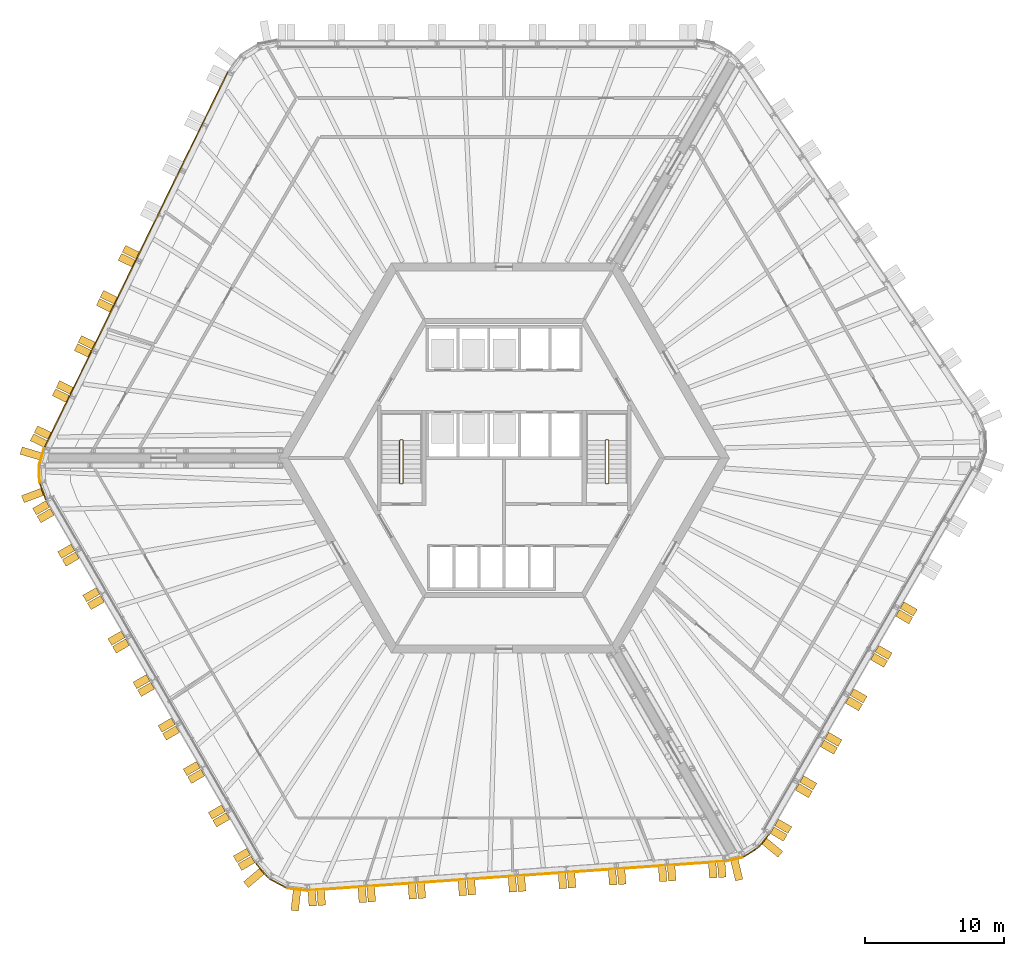
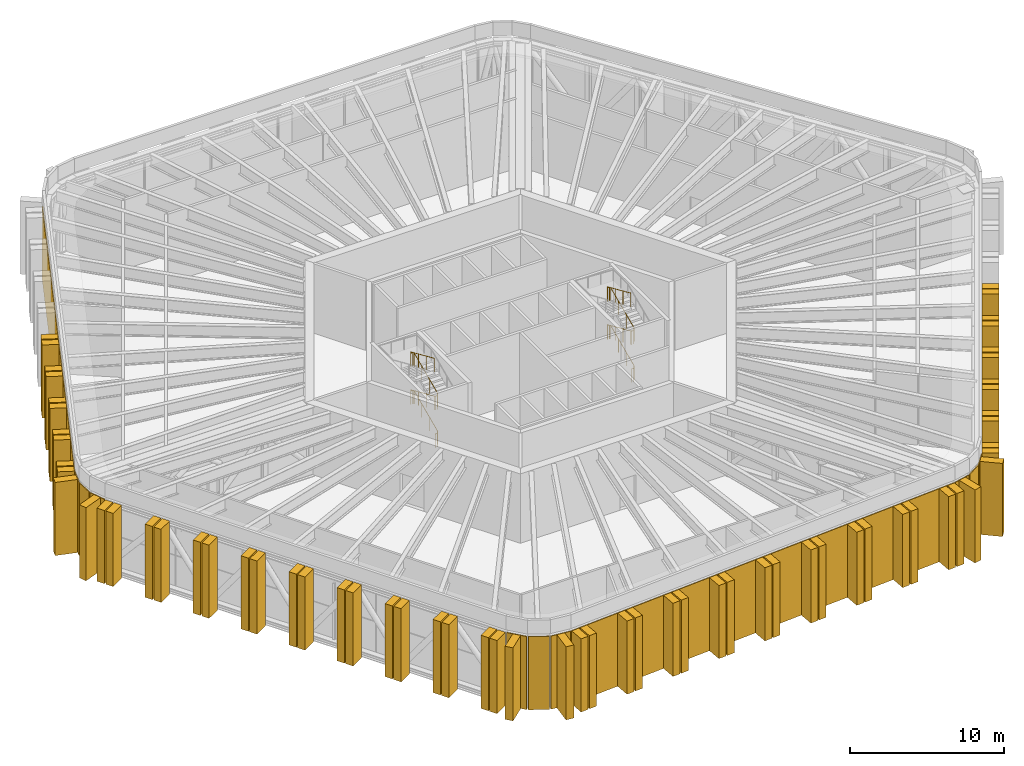
# One storey, part 25 of 27: 75 shading devices, 2 railings.
"""IFC4 building model written with IfcOpenShell, lengths in metres."""

from ifc_helpers import new_model, si_unit, direction, frame, origin, origin_2d, place, context, subcontext, project, spatial, polyline, circle, outline, extrude, material, layer, layer_set, type_object, element, save


model = new_model("IFC4")

# Units and contexts
model_context = context("Model", 3, precision=1e-05, world=origin(), true_north=direction((0.0, 1.0)))
body_context = subcontext(model_context, "Body", "Model", "MODEL_VIEW")
ifc_project = project(units=[si_unit("LENGTHUNIT", "METRE"), si_unit("AREAUNIT", "SQUARE_METRE"), si_unit("VOLUMEUNIT", "CUBIC_METRE"), si_unit("PLANEANGLEUNIT", "RADIAN"), si_unit("MASSUNIT", "GRAM", prefix="KILO")], contexts=[model_context])

# Site, building, storey
site_placement = place(None, origin())
site = spatial("IfcSite", under=ifc_project, at=site_placement, CompositionType="ELEMENT")
building_placement = place(site_placement, origin())
building = spatial("IfcBuilding", under=site, at=building_placement, Name="Tarnside Tower", CompositionType="ELEMENT")
storey_placement = place(building_placement, frame((0.0, 0.0, 146.699951171875)))
storey = spatial("IfcBuildingStorey", under=building, at=storey_placement, Name="L34", CompositionType="ELEMENT", Elevation=146.699951171875)

# Shading devices
ifc_material_1 = material(Name="Aluminium alloy 6063 louvre", Category="aluminium")
shading_device_type_1 = type_object("IfcShadingDeviceType", Name="Louvre panel 69", PredefinedType="USERDEFINED", material=ifc_material_1)
shading_device_1_placement = place(storey_placement, frame((-26.37109375, 14.20947265625, -0.300048828125), z_axis=(0.438372723418, 0.898793277324, 0.0), x_axis=(-0.898793277324, 0.438372723418, 0.0)))
element("IfcShadingDevice", 1, at=shading_device_1_placement, inside=storey, type_object=shading_device_type_1, Name="Louvre L34 005", ObjectType="LOUVRE", PredefinedType="USERDEFINED", context=body_context, shape_type="SweptSolid", body=[
    extrude(outline(polyline([(0.0, 0.0), (0.06884765625, 0.0), (0.06884765625, 5.800048828125), (0.0, 5.800048828125), (0.0, 0.0)])), frame((0.0, 0.0, -15.03564453125)), (0.0, 0.0, 1.0), 30.071044921875),
])
for number, where, z_axis, x_axis, name in (
    (2, (-33.147705078125, 0.085693359375, -0.300048828125), (0.286778355545, 0.957996959698, 0.0), (-0.957996959698, 0.286778355545, 0.0), "Louvre L34 006"),
    (3, (-33.308349609375, -1.1630859375, -0.300048828125), (-0.034926917162, 0.999389869099, 0.0), (-0.999389869099, -0.034926917162, 0.0), "Louvre L34 007"),
    (4, (-33.060791015625, -2.397705078125, -0.300048828125), (-0.352909617504, 0.935657416939, 0.0), (-0.935657416939, -0.352909617504, 0.0), "Louvre L34 008"),
):
    element("IfcShadingDevice", number, at=place(storey_placement, frame(where, z_axis=z_axis, x_axis=x_axis)), inside=storey, type_object=shading_device_type_1, Name=name, ObjectType="LOUVRE", PredefinedType="USERDEFINED", context=body_context, shape_type="SweptSolid", body=[
        extrude(outline(polyline([(0.0, 0.0), (0.06884765625, 0.0), (0.06884765625, 5.800048828125), (0.0, 5.800048828125), (0.0, 0.0)])), frame((0.0, 0.0, -0.60400390625)), (0.0, 0.0, 1.0), 1.208251953125),
    ])
for number, where, z_axis, x_axis, name in (
    (5, (-17.326416015625, -29.58984375, -0.300048828125), (-0.651674836993, 0.75849845539, 0.0), (-0.75849845539, -0.651674836993, 0.0), "Louvre L34 010"),
    (6, (-16.208740234375, -30.484130859375, -0.300048828125), (-0.882950419598, 0.469466246425, 0.0), (-0.469466246425, -0.882950419598, 0.0), "Louvre L34 011"),
    (7, (-14.84228515625, -30.91064453125, -0.300048828125), (-0.993236959607, 0.116104875309, 0.0), (-0.116104875309, -0.993236959607, 0.0), "Louvre L34 012"),
):
    element("IfcShadingDevice", number, at=place(storey_placement, frame(where, z_axis=z_axis, x_axis=x_axis)), inside=storey, type_object=shading_device_type_1, Name=name, ObjectType="LOUVRE", PredefinedType="USERDEFINED", context=body_context, shape_type="SweptSolid", body=[
        extrude(outline(polyline([(0.0, 0.0), (0.06884765625, 0.0), (0.06884765625, 5.800048828125), (0.0, 5.800048828125), (0.0, 0.0)])), frame((0.0, 0.0, -0.689453125)), (0.0, 0.0, 1.0), 1.37890625),
    ])
shading_device_2_placement = place(storey_placement, frame((0.8798828125, -29.942626953125, -0.300048828125), z_axis=(-0.997563935757, -0.069758111193, 0.0), x_axis=(0.069758111193, -0.997563935757, 0.0)))
element("IfcShadingDevice", 8, at=shading_device_2_placement, inside=storey, type_object=shading_device_type_1, Name="Louvre L34 013", ObjectType="LOUVRE", PredefinedType="USERDEFINED", context=body_context, shape_type="SweptSolid", body=[
    extrude(outline(polyline([(0.0, 0.0), (0.06884765625, 0.0), (0.06884765625, 5.800048828125), (0.0, 5.800048828125), (0.0, 0.0)])), frame((0.0, 0.0, -15.03564453125)), (0.0, 0.0, 1.0), 30.071044921875),
])
for number, where, z_axis, x_axis, name in (
    (9, (16.49951171875, -28.74951171875, -0.300048828125), (-0.973049015746, -0.230598380212, 0.0), (0.230598380212, -0.973049015746, 0.0), "Louvre L34 014"),
    (10, (17.661376953125, -28.26416015625, -0.300048828125), (-0.848049444347, -0.529917106671, 0.0), (0.529917106671, -0.848049444347, 0.0), "Louvre L34 015"),
    (11, (18.60693359375, -27.4326171875, -0.300048828125), (-0.633837053424, -0.773466605424, 0.0), (0.773466605424, -0.633837053424, 0.0), "Louvre L34 016"),
):
    element("IfcShadingDevice", number, at=place(storey_placement, frame(where, z_axis=z_axis, x_axis=x_axis)), inside=storey, type_object=shading_device_type_1, Name=name, ObjectType="LOUVRE", PredefinedType="USERDEFINED", context=body_context, shape_type="SweptSolid", body=[
        extrude(outline(polyline([(0.0, 0.0), (0.06884765625, 0.0), (0.06884765625, 5.800048828125), (0.0, 5.800048828125), (0.0, 0.0)])), frame((0.0, 0.0, -0.60400390625)), (0.0, 0.0, 1.0), 1.208251953125),
    ])
ifc_material_2 = material(Name="Concrete C50/60 white precast", Category="concrete")
ifc_layer_1 = layer(ifc_material_2, 0.550048828125)
ifc_layer_set_1 = layer_set([ifc_layer_1], Name="Precast fin 550 x 1100")
shading_device_type_2 = type_object("IfcShadingDeviceType", Name="Precast fin 550 x 1100", PredefinedType="USERDEFINED", material=ifc_layer_set_1)
for number, where, z_axis, x_axis, name in (
    (12, (-26.29052734375, 14.53173828125, -0.300048828125), (0.438371146789, 0.898794046299, 0.0), (-0.898794046299, 0.438371146789, 0.0), "Precast fin"),
    (13, (-26.575439453125, 13.947509765625, -0.300048828125), (0.438371146789, 0.898794046299, 0.0), (-0.898794046299, 0.438371146789, 0.0), "Precast fin"),
    (14, (-27.86865234375, 11.296142578125, -0.300048828125), (0.438371146789, 0.898794046299, 0.0), (-0.898794046299, 0.438371146789, 0.0), "Precast fin"),
    (15, (-28.153564453125, 10.7119140625, -0.300048828125), (0.438371146789, 0.898794046299, 0.0), (-0.898794046299, 0.438371146789, 0.0), "Precast fin"),
    (16, (-29.44677734375, 8.060546875, -0.300048828125), (0.438371146789, 0.898794046299, 0.0), (-0.898794046299, 0.438371146789, 0.0), "Precast fin"),
    (17, (-29.731689453125, 7.476318359375, -0.300048828125), (0.438371146789, 0.898794046299, 0.0), (-0.898794046299, 0.438371146789, 0.0), "Precast fin"),
    (18, (-31.02490234375, 4.82470703125, -0.300048828125), (0.438371146789, 0.898794046299, 0.0), (-0.898794046299, 0.438371146789, 0.0), "Precast fin"),
    (19, (-31.309814453125, 4.240478515625, -0.300048828125), (0.438371146789, 0.898794046299, 0.0), (-0.898794046299, 0.438371146789, 0.0), "Precast fin"),
    (20, (-32.60302734375, 1.589111328125, -0.300048828125), (0.438371146789, 0.898794046299, 0.0), (-0.898794046299, 0.438371146789, 0.0), "Precast fin"),
    (21, (-32.887939453125, 1.0048828125, -0.300048828125), (0.438371146789, 0.898794046299, 0.0), (-0.898794046299, 0.438371146789, 0.0), "Precast fin"),
    (22, (-32.73779296875, -3.296630859375, -0.300048828125), (-0.5, 0.866025403784, 0.0), (-0.866025403784, -0.5, 0.0), "Precast fin"),
    (23, (-32.412841796875, -3.859375, -0.300048828125), (-0.5, 0.866025403784, 0.0), (-0.866025403784, -0.5, 0.0), "Precast fin"),
    (24, (-30.937744140625, -6.414306640625, -0.300048828125), (-0.5, 0.866025403784, 0.0), (-0.866025403784, -0.5, 0.0), "Precast fin"),
    (25, (-30.61279296875, -6.977294921875, -0.300048828125), (-0.5, 0.866025403784, 0.0), (-0.866025403784, -0.5, 0.0), "Precast fin"),
    (26, (-29.1376953125, -9.531982421875, -0.300048828125), (-0.5, 0.866025403784, 0.0), (-0.866025403784, -0.5, 0.0), "Precast fin"),
    (27, (-28.812744140625, -10.094970703125, -0.300048828125), (-0.5, 0.866025403784, 0.0), (-0.866025403784, -0.5, 0.0), "Precast fin"),
    (28, (-27.337646484375, -12.649658203125, -0.300048828125), (-0.5, 0.866025403784, 0.0), (-0.866025403784, -0.5, 0.0), "Precast fin"),
    (29, (-27.0126953125, -13.212646484375, -0.300048828125), (-0.5, 0.866025403784, 0.0), (-0.866025403784, -0.5, 0.0), "Precast fin"),
    (30, (-25.537841796875, -15.767333984375, -0.300048828125), (-0.5, 0.866025403784, 0.0), (-0.866025403784, -0.5, 0.0), "Precast fin"),
    (31, (-25.212646484375, -16.330322265625, -0.300048828125), (-0.5, 0.866025403784, 0.0), (-0.866025403784, -0.5, 0.0), "Precast fin"),
    (32, (-23.73779296875, -18.885009765625, -0.300048828125), (-0.5, 0.866025403784, 0.0), (-0.866025403784, -0.5, 0.0), "Precast fin"),
    (33, (-23.412841796875, -19.447998046875, -0.300048828125), (-0.5, 0.866025403784, 0.0), (-0.866025403784, -0.5, 0.0), "Precast fin"),
    (34, (-21.937744140625, -22.002685546875, -0.300048828125), (-0.5, 0.866025403784, 0.0), (-0.866025403784, -0.5, 0.0), "Precast fin"),
    (35, (-21.61279296875, -22.565673828125, -0.300048828125), (-0.5, 0.866025403784, 0.0), (-0.866025403784, -0.5, 0.0), "Precast fin"),
    (36, (-20.1376953125, -25.120361328125, -0.300048828125), (-0.5, 0.866025403784, 0.0), (-0.866025403784, -0.5, 0.0), "Precast fin"),
    (37, (-19.812744140625, -25.683349609375, -0.300048828125), (-0.5, 0.866025403784, 0.0), (-0.866025403784, -0.5, 0.0), "Precast fin"),
    (38, (-18.337646484375, -28.238037109375, -0.300048828125), (-0.5, 0.866025403784, 0.0), (-0.866025403784, -0.5, 0.0), "Precast fin"),
    (39, (-18.0126953125, -28.801025390625, -0.300048828125), (-0.5, 0.866025403784, 0.0), (-0.866025403784, -0.5, 0.0), "Precast fin"),
    (40, (-13.8046875, -31.03857421875, -0.300048828125), (-0.99756405026, -0.069756473744, 0.0), (0.069756473744, -0.99756405026, 0.0), "Precast fin"),
    (41, (-13.15625, -30.9931640625, -0.300048828125), (-0.99756405026, -0.069756473744, 0.0), (0.069756473744, -0.99756405026, 0.0), "Precast fin"),
    (42, (-10.21337890625, -30.787353515625, -0.300048828125), (-0.99756405026, -0.069756473744, 0.0), (0.069756473744, -0.99756405026, 0.0), "Precast fin"),
    (43, (-9.56494140625, -30.7421875, -0.300048828125), (-0.99756405026, -0.069756473744, 0.0), (0.069756473744, -0.99756405026, 0.0), "Precast fin"),
    (44, (-6.6220703125, -30.536376953125, -0.300048828125), (-0.99756405026, -0.069756473744, 0.0), (0.069756473744, -0.99756405026, 0.0), "Precast fin"),
    (45, (-5.9736328125, -30.490966796875, -0.300048828125), (-0.99756405026, -0.069756473744, 0.0), (0.069756473744, -0.99756405026, 0.0), "Precast fin"),
    (46, (-3.031005859375, -30.28515625, -0.300048828125), (-0.99756405026, -0.069756473744, 0.0), (0.069756473744, -0.99756405026, 0.0), "Precast fin"),
    (47, (-2.382568359375, -30.23974609375, -0.300048828125), (-0.99756405026, -0.069756473744, 0.0), (0.069756473744, -0.99756405026, 0.0), "Precast fin"),
    (48, (0.560302734375, -30.0341796875, -0.300048828125), (-0.99756405026, -0.069756473744, 0.0), (0.069756473744, -0.99756405026, 0.0), "Precast fin"),
    (49, (1.208740234375, -29.98876953125, -0.300048828125), (-0.99756405026, -0.069756473744, 0.0), (0.069756473744, -0.99756405026, 0.0), "Precast fin"),
    (50, (4.151611328125, -29.782958984375, -0.300048828125), (-0.99756405026, -0.069756473744, 0.0), (0.069756473744, -0.99756405026, 0.0), "Precast fin"),
    (51, (4.800048828125, -29.737548828125, -0.300048828125), (-0.99756405026, -0.069756473744, 0.0), (0.069756473744, -0.99756405026, 0.0), "Precast fin"),
    (52, (7.74267578125, -29.53173828125, -0.300048828125), (-0.99756405026, -0.069756473744, 0.0), (0.069756473744, -0.99756405026, 0.0), "Precast fin"),
    (53, (8.39111328125, -29.486572265625, -0.300048828125), (-0.99756405026, -0.069756473744, 0.0), (0.069756473744, -0.99756405026, 0.0), "Precast fin"),
    (54, (11.333984375, -29.28076171875, -0.300048828125), (-0.99756405026, -0.069756473744, 0.0), (0.069756473744, -0.99756405026, 0.0), "Precast fin"),
    (55, (11.982421875, -29.2353515625, -0.300048828125), (-0.99756405026, -0.069756473744, 0.0), (0.069756473744, -0.99756405026, 0.0), "Precast fin"),
    (56, (14.92529296875, -29.029541015625, -0.300048828125), (-0.99756405026, -0.069756473744, 0.0), (0.069756473744, -0.99756405026, 0.0), "Precast fin"),
    (57, (15.57373046875, -28.984130859375, -0.300048828125), (-0.99756405026, -0.069756473744, 0.0), (0.069756473744, -0.99756405026, 0.0), "Precast fin"),
    (58, (19.223876953125, -26.703369140625, -0.300048828125), (-0.5, -0.866025403784, 0.0), (0.866025403784, -0.5, 0.0), "Precast fin"),
    (59, (19.548828125, -26.140625, -0.300048828125), (-0.5, -0.866025403784, 0.0), (0.866025403784, -0.5, 0.0), "Precast fin"),
    (60, (21.023681640625, -23.585693359375, -0.300048828125), (-0.5, -0.866025403784, 0.0), (0.866025403784, -0.5, 0.0), "Precast fin"),
    (61, (21.348876953125, -23.022705078125, -0.300048828125), (-0.5, -0.866025403784, 0.0), (0.866025403784, -0.5, 0.0), "Precast fin"),
    (62, (22.82373046875, -20.468017578125, -0.300048828125), (-0.5, -0.866025403784, 0.0), (0.866025403784, -0.5, 0.0), "Precast fin"),
    (63, (23.148681640625, -19.905029296875, -0.300048828125), (-0.5, -0.866025403784, 0.0), (0.866025403784, -0.5, 0.0), "Precast fin"),
    (64, (24.623779296875, -17.350341796875, -0.300048828125), (-0.5, -0.866025403784, 0.0), (0.866025403784, -0.5, 0.0), "Precast fin"),
    (65, (24.94873046875, -16.787353515625, -0.300048828125), (-0.5, -0.866025403784, 0.0), (0.866025403784, -0.5, 0.0), "Precast fin"),
    (66, (26.423828125, -14.232666015625, -0.300048828125), (-0.5, -0.866025403784, 0.0), (0.866025403784, -0.5, 0.0), "Precast fin"),
    (67, (26.748779296875, -13.669677734375, -0.300048828125), (-0.5, -0.866025403784, 0.0), (0.866025403784, -0.5, 0.0), "Precast fin"),
    (68, (28.223876953125, -11.114990234375, -0.300048828125), (-0.5, -0.866025403784, 0.0), (0.866025403784, -0.5, 0.0), "Precast fin"),
    (69, (28.548828125, -10.552001953125, -0.300048828125), (-0.5, -0.866025403784, 0.0), (0.866025403784, -0.5, 0.0), "Precast fin"),
):
    element("IfcShadingDevice", number, at=place(storey_placement, frame(where, z_axis=z_axis, x_axis=x_axis)), inside=storey, type_object=shading_device_type_2, Name=name, ObjectType="FIN", PredefinedType="USERDEFINED", context=body_context, shape_type="SweptSolid", body=[
        extrude(outline(polyline([(0.0, 0.0), (1.10009765625, 0.0), (1.10009765625, 5.800048828125), (0.0, 5.800048828125), (0.0, 0.0)])), frame((0.0, 0.0, -0.27490234375)), (0.0, 0.0, 1.0), 0.550048828125),
    ])
ifc_layer_2 = layer(ifc_material_2, 0.550048828125)
ifc_layer_set_2 = layer_set([ifc_layer_2], Name="Precast fin 550 x 1500")
shading_device_type_3 = type_object("IfcShadingDeviceType", Name="Precast fin 550 x 1500", PredefinedType="USERDEFINED", material=ifc_layer_set_2)
for number, where, z_axis, x_axis, name in (
    (70, (-33.213623046875, 0.10546875, -0.300048828125), (0.286803232717, 0.957989512314, 0.0), (-0.957989512314, 0.286803232717, 0.0), "Precast fin"),
    (71, (-33.125244140625, -2.422119140625, -0.300048828125), (-0.352930564719, 0.935649515837, 0.0), (-0.935649515837, -0.352930564719, 0.0), "Precast fin"),
    (72, (-17.378662109375, -29.634765625, -0.300048828125), (-0.651657228826, 0.758513583345, 0.0), (-0.758513583345, -0.651657228826, 0.0), "Precast fin"),
    (73, (-14.850341796875, -30.97900390625, -0.300048828125), (-0.993238357741, 0.116092914131, 0.0), (-0.116092914131, -0.993238357741, 0.0), "Precast fin"),
    (74, (16.515625, -28.81640625, -0.300048828125), (-0.973044870581, -0.230615870737, 0.0), (0.230615870737, -0.973044870581, 0.0), "Precast fin"),
    (75, (18.66015625, -27.476318359375, -0.300048828125), (-0.633830967394, -0.773471592738, 0.0), (0.773471592738, -0.633830967394, 0.0), "Precast fin"),
):
    element("IfcShadingDevice", number, at=place(storey_placement, frame(where, z_axis=z_axis, x_axis=x_axis)), inside=storey, type_object=shading_device_type_3, Name=name, ObjectType="FIN", PredefinedType="USERDEFINED", context=body_context, shape_type="SweptSolid", body=[
        extrude(outline(polyline([(0.0, 0.0), (1.5, 0.0), (1.5, 5.800048828125), (0.0, 5.800048828125), (0.0, 0.0)])), frame((0.0, 0.0, -0.27490234375)), (0.0, 0.0, 1.0), 0.550048828125),
    ])

# Railings
ifc_material_3 = material(Name="Stainless steel", Category="steel")
railing_type = type_object("IfcRailingType", Name="Stair guard 1100", PredefinedType="GUARDRAIL", material=ifc_material_3)
railing_1_placement = place(storey_placement, frame((7.300048828125, -1.85009765625, 0.0)))
element("IfcRailing", 76, at=railing_1_placement, inside=storey, type_object=railing_type, Name="L34 ST1 stair guard 1", PredefinedType="GUARDRAIL", context=body_context, shape_type="SweptSolid", body=[
    extrude(circle(Radius=0.02392578125, at=origin_2d()), frame((0.0, 0.0, 1.076171875), z_axis=(1.0, 0.0, 0.0), x_axis=(0.0, 1.0, 0.0)), (0.0, 0.0, 1.0), 0.14990234375),
    extrude(circle(Radius=0.02392578125, at=origin_2d()), frame((0.14990234375, 0.0, 1.076171875), z_axis=(0.301511344578, 0.301511344578, 0.904534033733), x_axis=(-0.707106781187, 0.707106781187, 0.0)), (0.0, 0.0, 1.0), 0.166015625),
    extrude(circle(Radius=0.02392578125, at=origin_2d()), frame((0.199951171875, 0.050048828125, 1.22607421875), z_axis=(0.0, 0.914936829305, 0.403597074296), x_axis=(-1.0, 0.0, 0.0)), (0.0, 0.0, 1.0), 3.344482421875),
    extrude(circle(Radius=0.02392578125, at=origin_2d()), frame((0.199951171875, 3.110107421875, 2.576171875), z_axis=(-0.707106781187, 0.707106781187, 0.0), x_axis=(-0.707106781187, -0.707106781187, 0.0)), (0.0, 0.0, 1.0), 0.07080078125),
    extrude(circle(Radius=0.02392578125, at=origin_2d()), frame((0.14990234375, 3.16015625, 2.576171875), z_axis=(-1.0, 0.0, 0.0), x_axis=(0.0, -1.0, 0.0)), (0.0, 0.0, 1.0), 0.14990234375),
    extrude(circle(Radius=0.02392578125, at=origin_2d()), frame((0.0, 3.16015625, 2.576171875), z_axis=(-0.301511344578, -0.301511344578, 0.904534033733), x_axis=(0.707106781187, -0.707106781187, 0.0)), (0.0, 0.0, 1.0), 0.166015625),
    extrude(circle(Radius=0.02392578125, at=origin_2d()), frame((-0.050048828125, 3.110107421875, 2.72607421875), z_axis=(0.0, -0.914936829305, 0.403597074296), x_axis=(1.0, 0.0, 0.0)), (0.0, 0.0, 1.0), 3.344482421875),
    extrude(circle(Radius=0.02392578125, at=origin_2d()), frame((-0.050048828125, 0.050048828125, 4.076171875), z_axis=(0.707106781187, -0.707106781187, 0.0), x_axis=(0.707106781187, 0.707106781187, 0.0)), (0.0, 0.0, 1.0), 0.07080078125),
    extrude(circle(Radius=0.02392578125, at=origin_2d()), frame((0.0, 0.0, 4.076171875), z_axis=(1.0, 0.0, 0.0), x_axis=(0.0, 1.0, 0.0)), (0.0, 0.0, 1.0), 0.14990234375),
    extrude(circle(Radius=0.02392578125, at=origin_2d()), frame((0.14990234375, 0.0, 4.076171875), z_axis=(0.301511344578, 0.301511344578, 0.904534033733), x_axis=(-0.707106781187, 0.707106781187, 0.0)), (0.0, 0.0, 1.0), 0.166015625),
    extrude(circle(Radius=0.02392578125, at=origin_2d()), frame((0.199951171875, 0.050048828125, 4.22607421875), z_axis=(0.0, 0.914936829305, 0.403597074296), x_axis=(-1.0, 0.0, 0.0)), (0.0, 0.0, 1.0), 3.344482421875),
    extrude(circle(Radius=0.02392578125, at=origin_2d()), frame((0.199951171875, 3.110107421875, 5.576171875), z_axis=(-0.707106781187, 0.707106781187, 0.0), x_axis=(-0.707106781187, -0.707106781187, 0.0)), (0.0, 0.0, 1.0), 0.07080078125),
    extrude(circle(Radius=0.02392578125, at=origin_2d()), frame((0.14990234375, 3.16015625, 5.576171875), z_axis=(-1.0, 0.0, 0.0), x_axis=(0.0, -1.0, 0.0)), (0.0, 0.0, 1.0), 0.14990234375),
    extrude(circle(Radius=0.02392578125, at=origin_2d()), frame((0.0, 3.16015625, 5.576171875), z_axis=(-0.301511344578, -0.301511344578, 0.904534033733), x_axis=(0.707106781187, -0.707106781187, 0.0)), (0.0, 0.0, 1.0), 0.166015625),
    extrude(circle(Radius=0.02392578125, at=origin_2d()), frame((-0.050048828125, 3.110107421875, 5.72607421875), z_axis=(0.0, -0.914936829305, 0.403597074296), x_axis=(1.0, 0.0, 0.0)), (0.0, 0.0, 1.0), 3.344482421875),
    extrude(circle(Radius=0.02099609375, at=origin_2d()), origin(), (0.0, 0.0, 1.0), 1.052001953125),
    extrude(circle(Radius=0.02099609375, at=origin_2d()), frame((0.14990234375, 0.0, 0.0)), (0.0, 0.0, 1.0), 1.052001953125),
    extrude(circle(Radius=0.02099609375, at=origin_2d()), frame((0.199951171875, 0.050048828125, 0.150146484375)), (0.0, 0.0, 1.0), 1.052001953125),
    extrude(circle(Radius=0.02099609375, at=origin_2d()), frame((0.199951171875, 1.070068359375, 0.60009765625)), (0.0, 0.0, 1.0), 1.052001953125),
    extrude(circle(Radius=0.02099609375, at=origin_2d()), frame((0.199951171875, 2.090087890625, 1.050048828125)), (0.0, 0.0, 1.0), 1.052001953125),
    extrude(circle(Radius=0.02099609375, at=origin_2d()), frame((0.199951171875, 3.110107421875, 1.5)), (0.0, 0.0, 1.0), 1.052001953125),
    extrude(circle(Radius=0.02099609375, at=origin_2d()), frame((0.14990234375, 3.16015625, 1.5)), (0.0, 0.0, 1.0), 1.052001953125),
    extrude(circle(Radius=0.02099609375, at=origin_2d()), frame((0.0, 3.16015625, 1.5)), (0.0, 0.0, 1.0), 1.052001953125),
    extrude(circle(Radius=0.02099609375, at=origin_2d()), frame((-0.050048828125, 3.110107421875, 1.650146484375)), (0.0, 0.0, 1.0), 1.052001953125),
    extrude(circle(Radius=0.02099609375, at=origin_2d()), frame((-0.050048828125, 2.090087890625, 2.10009765625)), (0.0, 0.0, 1.0), 1.052001953125),
    extrude(circle(Radius=0.02099609375, at=origin_2d()), frame((-0.050048828125, 1.070068359375, 2.550048828125)), (0.0, 0.0, 1.0), 1.052001953125),
    extrude(circle(Radius=0.02099609375, at=origin_2d()), frame((-0.050048828125, 0.050048828125, 3.0)), (0.0, 0.0, 1.0), 1.052001953125),
    extrude(circle(Radius=0.02099609375, at=origin_2d()), frame((0.0, 0.0, 3.0)), (0.0, 0.0, 1.0), 1.052001953125),
    extrude(circle(Radius=0.02099609375, at=origin_2d()), frame((0.14990234375, 0.0, 3.0)), (0.0, 0.0, 1.0), 1.052001953125),
    extrude(circle(Radius=0.02099609375, at=origin_2d()), frame((0.199951171875, 0.050048828125, 3.150146484375)), (0.0, 0.0, 1.0), 1.052001953125),
    extrude(circle(Radius=0.02099609375, at=origin_2d()), frame((0.199951171875, 1.070068359375, 3.60009765625)), (0.0, 0.0, 1.0), 1.052001953125),
    extrude(circle(Radius=0.02099609375, at=origin_2d()), frame((0.199951171875, 2.090087890625, 4.050048828125)), (0.0, 0.0, 1.0), 1.052001953125),
    extrude(circle(Radius=0.02099609375, at=origin_2d()), frame((0.199951171875, 3.110107421875, 4.5)), (0.0, 0.0, 1.0), 1.052001953125),
    extrude(circle(Radius=0.02099609375, at=origin_2d()), frame((0.14990234375, 3.16015625, 4.5)), (0.0, 0.0, 1.0), 1.052001953125),
    extrude(circle(Radius=0.02099609375, at=origin_2d()), frame((0.0, 3.16015625, 4.5)), (0.0, 0.0, 1.0), 1.052001953125),
    extrude(circle(Radius=0.02099609375, at=origin_2d()), frame((-0.050048828125, 3.110107421875, 4.650146484375)), (0.0, 0.0, 1.0), 1.052001953125),
    extrude(circle(Radius=0.02099609375, at=origin_2d()), frame((-0.050048828125, 2.090087890625, 5.10009765625)), (0.0, 0.0, 1.0), 1.052001953125),
    extrude(circle(Radius=0.02099609375, at=origin_2d()), frame((-0.050048828125, 1.070068359375, 5.550048828125)), (0.0, 0.0, 1.0), 1.052001953125),
    extrude(circle(Radius=0.02099609375, at=origin_2d()), frame((-0.050048828125, 0.050048828125, 6.0)), (0.0, 0.0, 1.0), 1.052001953125),
])
railing_2_placement = place(storey_placement, frame((-7.449951171875, -1.85009765625, 0.0)))
element("IfcRailing", 77, at=railing_2_placement, inside=storey, type_object=railing_type, Name="L34 ST2 stair guard 1", PredefinedType="GUARDRAIL", context=body_context, shape_type="SweptSolid", body=[
    extrude(circle(Radius=0.02392578125, at=origin_2d()), frame((0.0, 0.0, 1.076171875), z_axis=(1.0, 0.0, 0.0), x_axis=(0.0, 1.0, 0.0)), (0.0, 0.0, 1.0), 0.14990234375),
    extrude(circle(Radius=0.02392578125, at=origin_2d()), frame((0.14990234375, 0.0, 1.076171875), z_axis=(0.301511344578, 0.301511344578, 0.904534033733), x_axis=(-0.707106781187, 0.707106781187, 0.0)), (0.0, 0.0, 1.0), 0.166015625),
    extrude(circle(Radius=0.02392578125, at=origin_2d()), frame((0.199951171875, 0.050048828125, 1.22607421875), z_axis=(0.0, 0.914936829305, 0.403597074296), x_axis=(-1.0, 0.0, 0.0)), (0.0, 0.0, 1.0), 3.344482421875),
    extrude(circle(Radius=0.02392578125, at=origin_2d()), frame((0.199951171875, 3.110107421875, 2.576171875), z_axis=(-0.707106781187, 0.707106781187, 0.0), x_axis=(-0.707106781187, -0.707106781187, 0.0)), (0.0, 0.0, 1.0), 0.07080078125),
    extrude(circle(Radius=0.02392578125, at=origin_2d()), frame((0.14990234375, 3.16015625, 2.576171875), z_axis=(-1.0, 0.0, 0.0), x_axis=(0.0, -1.0, 0.0)), (0.0, 0.0, 1.0), 0.14990234375),
    extrude(circle(Radius=0.02392578125, at=origin_2d()), frame((0.0, 3.16015625, 2.576171875), z_axis=(-0.301511344578, -0.301511344578, 0.904534033733), x_axis=(0.707106781187, -0.707106781187, 0.0)), (0.0, 0.0, 1.0), 0.166015625),
    extrude(circle(Radius=0.02392578125, at=origin_2d()), frame((-0.050048828125, 3.110107421875, 2.72607421875), z_axis=(0.0, -0.914936829305, 0.403597074296), x_axis=(1.0, 0.0, 0.0)), (0.0, 0.0, 1.0), 3.344482421875),
    extrude(circle(Radius=0.02392578125, at=origin_2d()), frame((-0.050048828125, 0.050048828125, 4.076171875), z_axis=(0.707106781187, -0.707106781187, 0.0), x_axis=(0.707106781187, 0.707106781187, 0.0)), (0.0, 0.0, 1.0), 0.07080078125),
    extrude(circle(Radius=0.02392578125, at=origin_2d()), frame((0.0, 0.0, 4.076171875), z_axis=(1.0, 0.0, 0.0), x_axis=(0.0, 1.0, 0.0)), (0.0, 0.0, 1.0), 0.14990234375),
    extrude(circle(Radius=0.02392578125, at=origin_2d()), frame((0.14990234375, 0.0, 4.076171875), z_axis=(0.301511344578, 0.301511344578, 0.904534033733), x_axis=(-0.707106781187, 0.707106781187, 0.0)), (0.0, 0.0, 1.0), 0.166015625),
    extrude(circle(Radius=0.02392578125, at=origin_2d()), frame((0.199951171875, 0.050048828125, 4.22607421875), z_axis=(0.0, 0.914936829305, 0.403597074296), x_axis=(-1.0, 0.0, 0.0)), (0.0, 0.0, 1.0), 3.344482421875),
    extrude(circle(Radius=0.02392578125, at=origin_2d()), frame((0.199951171875, 3.110107421875, 5.576171875), z_axis=(-0.707106781187, 0.707106781187, 0.0), x_axis=(-0.707106781187, -0.707106781187, 0.0)), (0.0, 0.0, 1.0), 0.07080078125),
    extrude(circle(Radius=0.02392578125, at=origin_2d()), frame((0.14990234375, 3.16015625, 5.576171875), z_axis=(-1.0, 0.0, 0.0), x_axis=(0.0, -1.0, 0.0)), (0.0, 0.0, 1.0), 0.14990234375),
    extrude(circle(Radius=0.02392578125, at=origin_2d()), frame((0.0, 3.16015625, 5.576171875), z_axis=(-0.301511344578, -0.301511344578, 0.904534033733), x_axis=(0.707106781187, -0.707106781187, 0.0)), (0.0, 0.0, 1.0), 0.166015625),
    extrude(circle(Radius=0.02392578125, at=origin_2d()), frame((-0.050048828125, 3.110107421875, 5.72607421875), z_axis=(0.0, -0.914936829305, 0.403597074296), x_axis=(1.0, 0.0, 0.0)), (0.0, 0.0, 1.0), 3.344482421875),
    extrude(circle(Radius=0.02099609375, at=origin_2d()), origin(), (0.0, 0.0, 1.0), 1.052001953125),
    extrude(circle(Radius=0.02099609375, at=origin_2d()), frame((0.14990234375, 0.0, 0.0)), (0.0, 0.0, 1.0), 1.052001953125),
    extrude(circle(Radius=0.02099609375, at=origin_2d()), frame((0.199951171875, 0.050048828125, 0.150146484375)), (0.0, 0.0, 1.0), 1.052001953125),
    extrude(circle(Radius=0.02099609375, at=origin_2d()), frame((0.199951171875, 1.070068359375, 0.60009765625)), (0.0, 0.0, 1.0), 1.052001953125),
    extrude(circle(Radius=0.02099609375, at=origin_2d()), frame((0.199951171875, 2.090087890625, 1.050048828125)), (0.0, 0.0, 1.0), 1.052001953125),
    extrude(circle(Radius=0.02099609375, at=origin_2d()), frame((0.199951171875, 3.110107421875, 1.5)), (0.0, 0.0, 1.0), 1.052001953125),
    extrude(circle(Radius=0.02099609375, at=origin_2d()), frame((0.14990234375, 3.16015625, 1.5)), (0.0, 0.0, 1.0), 1.052001953125),
    extrude(circle(Radius=0.02099609375, at=origin_2d()), frame((0.0, 3.16015625, 1.5)), (0.0, 0.0, 1.0), 1.052001953125),
    extrude(circle(Radius=0.02099609375, at=origin_2d()), frame((-0.050048828125, 3.110107421875, 1.650146484375)), (0.0, 0.0, 1.0), 1.052001953125),
    extrude(circle(Radius=0.02099609375, at=origin_2d()), frame((-0.050048828125, 2.090087890625, 2.10009765625)), (0.0, 0.0, 1.0), 1.052001953125),
    extrude(circle(Radius=0.02099609375, at=origin_2d()), frame((-0.050048828125, 1.070068359375, 2.550048828125)), (0.0, 0.0, 1.0), 1.052001953125),
    extrude(circle(Radius=0.02099609375, at=origin_2d()), frame((-0.050048828125, 0.050048828125, 3.0)), (0.0, 0.0, 1.0), 1.052001953125),
    extrude(circle(Radius=0.02099609375, at=origin_2d()), frame((0.0, 0.0, 3.0)), (0.0, 0.0, 1.0), 1.052001953125),
    extrude(circle(Radius=0.02099609375, at=origin_2d()), frame((0.14990234375, 0.0, 3.0)), (0.0, 0.0, 1.0), 1.052001953125),
    extrude(circle(Radius=0.02099609375, at=origin_2d()), frame((0.199951171875, 0.050048828125, 3.150146484375)), (0.0, 0.0, 1.0), 1.052001953125),
    extrude(circle(Radius=0.02099609375, at=origin_2d()), frame((0.199951171875, 1.070068359375, 3.60009765625)), (0.0, 0.0, 1.0), 1.052001953125),
    extrude(circle(Radius=0.02099609375, at=origin_2d()), frame((0.199951171875, 2.090087890625, 4.050048828125)), (0.0, 0.0, 1.0), 1.052001953125),
    extrude(circle(Radius=0.02099609375, at=origin_2d()), frame((0.199951171875, 3.110107421875, 4.5)), (0.0, 0.0, 1.0), 1.052001953125),
    extrude(circle(Radius=0.02099609375, at=origin_2d()), frame((0.14990234375, 3.16015625, 4.5)), (0.0, 0.0, 1.0), 1.052001953125),
    extrude(circle(Radius=0.02099609375, at=origin_2d()), frame((0.0, 3.16015625, 4.5)), (0.0, 0.0, 1.0), 1.052001953125),
    extrude(circle(Radius=0.02099609375, at=origin_2d()), frame((-0.050048828125, 3.110107421875, 4.650146484375)), (0.0, 0.0, 1.0), 1.052001953125),
    extrude(circle(Radius=0.02099609375, at=origin_2d()), frame((-0.050048828125, 2.090087890625, 5.10009765625)), (0.0, 0.0, 1.0), 1.052001953125),
    extrude(circle(Radius=0.02099609375, at=origin_2d()), frame((-0.050048828125, 1.070068359375, 5.550048828125)), (0.0, 0.0, 1.0), 1.052001953125),
    extrude(circle(Radius=0.02099609375, at=origin_2d()), frame((-0.050048828125, 0.050048828125, 6.0)), (0.0, 0.0, 1.0), 1.052001953125),
])

save(model, "model.ifc")
